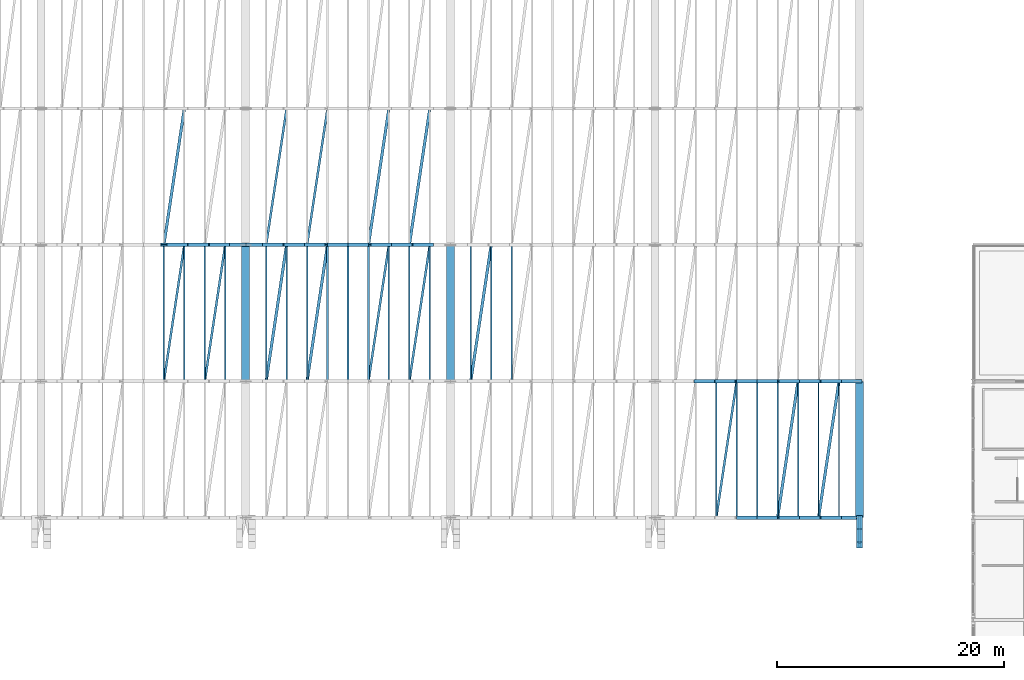
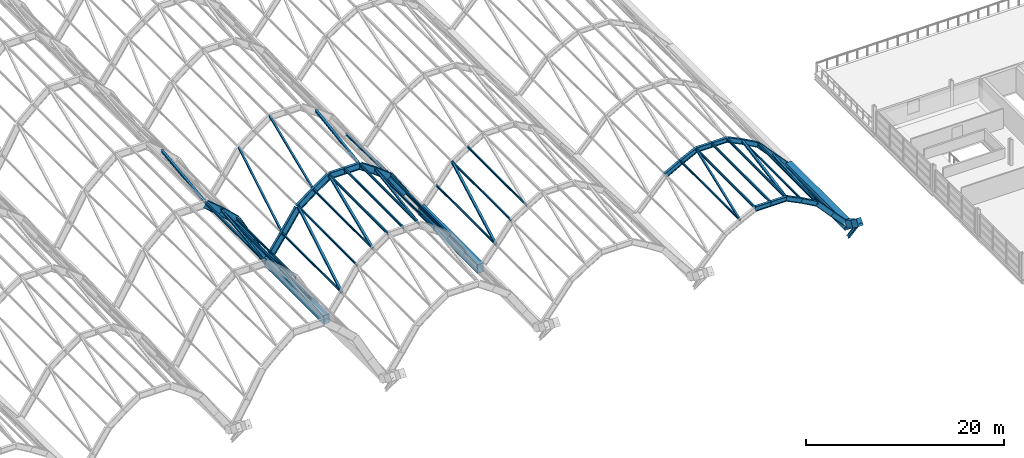
# One storey, part 14 of 86: 39 members, 32 beams.
"""IFC4 building model written with IfcOpenShell, lengths in metres."""

import ifcopenshell
import ifcopenshell.guid

model = None  # the IFC model being written
_history = None  # IfcOwnerHistory: only IFC2X3 demands one
_inside = {}  # id of a spatial element -> (the spatial element, [elements in it])
_under = {}  # id of a project, library or spatial element -> (it, [spatial elements below it])
_declared = {}  # id of a project -> (the project, [libraries it declares])
_typed = {}  # id of a type object -> (the type object, [elements of that type])
_made_of = {}  # id of a material, layer set ... -> (it, [elements and type objects made of it])


def new_model(schema):
    """Start an empty IFC model of exactly this schema.

    Asked for "IFC4X3", IfcOpenShell would pick the latest addendum, in which some entities
    have other attributes; the version numbers below select the first issue.
    IFC2X3 requires an IfcOwnerHistory on every rooted entity: one is made here for all.
    """
    global model, _history
    if schema == "IFC4X3":
        model = ifcopenshell.file(schema_version=(4, 3, 0, 0))
    else:
        model = ifcopenshell.file(schema=schema)
    _inside.clear()
    _under.clear()
    _declared.clear()
    _typed.clear()
    _made_of.clear()
    _history = None
    if model.schema == "IFC2X3":
        org = make("IfcOrganization", Name="unknown")
        user = make(
            "IfcPersonAndOrganization",
            ThePerson=make("IfcPerson", FamilyName="unknown"),
            TheOrganization=org,
        )
        app = make(
            "IfcApplication",
            ApplicationDeveloper=org,
            Version="unknown",
            ApplicationFullName="unknown",
            ApplicationIdentifier="unknown",
        )
        _history = make(
            "IfcOwnerHistory",
            OwningUser=user,
            OwningApplication=app,
            ChangeAction="ADDED",
            CreationDate=0,
        )
    return model


def make(cls, **values):
    """One entity of the class cls with the attributes given. An attribute that is None is left unset."""
    return model.create_entity(
        cls, **{name: value for name, value in values.items() if value is not None}
    )


def rooted(cls, **values):
    """An entity with a GlobalId (a new one), such as an element, a storey or a relation."""
    return make(cls, GlobalId=ifcopenshell.guid.new(), OwnerHistory=_history, **values)


def si_unit(unit_type, name, prefix=None):
    """IfcSIUnit, for example si_unit("LENGTHUNIT", "METRE", prefix="MILLI")."""
    return make("IfcSIUnit", UnitType=unit_type, Prefix=prefix, Name=name)


def assignment(units):
    """IfcUnitAssignment: the units of a project."""
    return None if units is None else make("IfcUnitAssignment", Units=units)


def point(xyz):
    """IfcCartesianPoint."""
    return None if xyz is None else make("IfcCartesianPoint", Coordinates=xyz)


def direction(xyz):
    """IfcDirection."""
    return None if xyz is None else make("IfcDirection", DirectionRatios=xyz)


def frame(location, z_axis=None, x_axis=None):
    """IfcAxis2Placement3D, a coordinate frame: its origin and axes. An axis left out is left unset."""
    return make(
        "IfcAxis2Placement3D",
        Location=point(location),
        Axis=direction(z_axis),
        RefDirection=direction(x_axis),
    )


def frame_2d(location, x_axis=None):
    """IfcAxis2Placement2D, a coordinate frame in the plane: its origin and x axis."""
    return make(
        "IfcAxis2Placement2D", Location=point(location), RefDirection=direction(x_axis)
    )


def origin():
    """The frame at (0, 0, 0) with its axes left unset."""
    return frame((0.0, 0.0, 0.0))


def origin_2d():
    """The frame at (0, 0) in the plane with its x axis left unset."""
    return frame_2d((0.0, 0.0))


def place(relative_to, where):
    """IfcLocalPlacement: puts the frame where relative to a parent placement (None: the world)."""
    return make(
        "IfcLocalPlacement", PlacementRelTo=relative_to, RelativePlacement=where
    )


def context(
    kind, dimensions, precision=None, world=None, true_north=None, identifier=None
):
    """IfcGeometricRepresentationContext, for example the 3D "Model" context."""
    return make(
        "IfcGeometricRepresentationContext",
        ContextIdentifier=identifier,
        ContextType=kind,
        CoordinateSpaceDimension=dimensions,
        Precision=precision,
        WorldCoordinateSystem=world,
        TrueNorth=true_north,
    )


def subcontext(parent, identifier, kind, view, scale=None):
    """IfcGeometricRepresentationSubContext, for example "Body" below "Model"."""
    return make(
        "IfcGeometricRepresentationSubContext",
        ContextIdentifier=identifier,
        ContextType=kind,
        ParentContext=parent,
        TargetScale=scale,
        TargetView=view,
    )


def project(units=None, contexts=None):
    """IfcProject with its units and contexts."""
    return rooted(
        "IfcProject",
        Name="project",
        RepresentationContexts=contexts,
        UnitsInContext=assignment(units),
    )


def spatial(cls, under=None, at=None, **own):
    """A site, building, storey or space (cls), placed at a placement, below another one or the project."""
    s = rooted(cls, ObjectPlacement=at, **own)
    if under is not None:
        _under.setdefault(under.id(), (under, []))[1].append(s)
    return s


def profile(cls, at=None, kind="AREA", **sizes):
    """A parametric profile (cls). Its sizes go by their IFC names, for example OverallWidth=200.0."""
    return make(cls, ProfileType=kind, Position=at, **sizes)


def rectangle(**sizes):
    """IfcRectangleProfileDef."""
    return profile("IfcRectangleProfileDef", **sizes)


def i_section(**sizes):
    """IfcIShapeProfileDef."""
    return profile("IfcIShapeProfileDef", **sizes)


def extrude(swept, where, along, depth):
    """IfcExtrudedAreaSolid: the profile swept, set in the frame where, extruded along a direction by depth."""
    return make(
        "IfcExtrudedAreaSolid",
        SweptArea=swept,
        Position=where,
        ExtrudedDirection=direction(along),
        Depth=depth,
    )


def shape(context_of_items, identifier, shape_type, items):
    """IfcShapeRepresentation: the items that make up one representation, for example the "Body"."""
    return make(
        "IfcShapeRepresentation",
        ContextOfItems=context_of_items,
        RepresentationIdentifier=identifier,
        RepresentationType=shape_type,
        Items=items,
    )


def material(Name=None, Category=None):
    """IfcMaterial."""
    return make("IfcMaterial", Name=Name, Category=Category)


def material_profile(
    of_material, cross_section, Name=None, Category=None, Priority=None
):
    """IfcMaterialProfile: a cross section and its material."""
    return make(
        "IfcMaterialProfile",
        Name=Name,
        Material=of_material,
        Profile=cross_section,
        Priority=Priority,
        Category=Category,
    )


def profile_set(profiles, Name=None, composite=None):
    """IfcMaterialProfileSet."""
    return make(
        "IfcMaterialProfileSet",
        Name=Name,
        MaterialProfiles=profiles,
        CompositeProfile=composite,
    )


def made_of(thing, what):
    """Note that an element or type object is made of a material, layer set ...; save() writes the relation."""
    if what is not None:
        _made_of.setdefault(what.id(), (what, []))[1].append(thing)
    return thing


def type_object(cls, material=None, **own):
    """A type object (cls), such as IfcWallType, which elements share."""
    return made_of(rooted(cls, **own), material)


def element(
    cls,
    number,
    at=None,
    inside=None,
    cuts=None,
    type_object=None,
    material=None,
    context=None,
    identifier="Body",
    shape_type=None,
    held_by="IfcProductDefinitionShape",
    body=None,
    shapes=None,
    **own,
):
    """One element of the class cls, such as IfcWall. Its Tag is "e" and its number.

    at: its placement. inside: the storey or other place that contains it. cuts: it is an
    opening in that element (IfcRelVoidsElement). A single representation is given by context,
    identifier, shape_type and body (its items); several are given by shapes. held_by: the class
    of the entity that holds the representations. save() writes the other relations.
    """
    e = rooted(cls, Tag="e%d" % number, ObjectPlacement=at, **own)
    if body is not None:
        shapes = [shape(context, identifier, shape_type, body)]
    if shapes is not None:
        e.Representation = make(held_by, Representations=shapes)
    if inside is not None:
        _inside.setdefault(inside.id(), (inside, []))[1].append(e)
    if cuts is not None:
        rooted(
            "IfcRelVoidsElement", RelatingBuildingElement=cuts, RelatedOpeningElement=e
        )
    if type_object is not None:
        _typed.setdefault(type_object.id(), (type_object, []))[1].append(e)
    return made_of(e, material)


def aggregate(whole, parts):
    """IfcRelAggregates: a whole, such as a stair, and the parts it consists of."""
    return rooted("IfcRelAggregates", RelatingObject=whole, RelatedObjects=parts)


def save(model, path):
    """Write the relations noted so far, then the file.

    IfcRelAggregates (storeys below a building ...), IfcRelContainedInSpatialStructure (elements
    in a storey), IfcRelDefinesByType, IfcRelAssociatesMaterial and IfcRelDeclares: one each for
    every whole, place, type object, material and project.
    """
    for whole, parts in _under.values():
        aggregate(whole, parts)
    for where, things in _inside.values():
        rooted(
            "IfcRelContainedInSpatialStructure",
            RelatedElements=things,
            RelatingStructure=where,
        )
    for kind, things in _typed.values():
        rooted("IfcRelDefinesByType", RelatedObjects=things, RelatingType=kind)
    for what, things in _made_of.values():
        rooted("IfcRelAssociatesMaterial", RelatedObjects=things, RelatingMaterial=what)
    for by, libraries in _declared.values():
        rooted("IfcRelDeclares", RelatingContext=by, RelatedDefinitions=libraries)
    model.write(path)


model = new_model("IFC4")

# Units and contexts
model_context = context("Model", 3, precision=1e-05, world=origin(), true_north=direction((0.0, 1.0)))
body_context = subcontext(model_context, "Body", "Model", "MODEL_VIEW")
ifc_project = project(units=[si_unit("LENGTHUNIT", "METRE"), si_unit("AREAUNIT", "SQUARE_METRE"), si_unit("VOLUMEUNIT", "CUBIC_METRE"), si_unit("PLANEANGLEUNIT", "RADIAN"), si_unit("MASSUNIT", "GRAM", prefix="KILO")], contexts=[model_context])

# Site, building, storey
site_placement = place(None, origin())
site = spatial("IfcSite", under=ifc_project, at=site_placement, CompositionType="ELEMENT")
building_placement = place(site_placement, origin())
building = spatial("IfcBuilding", under=site, at=building_placement, Name="Chuanluo Vaults Station", CompositionType="ELEMENT")
storey_placement = place(building_placement, frame((0.0, 0.0, 14.39990234375)))
storey = spatial("IfcBuildingStorey", under=building, at=storey_placement, Name="L03", CompositionType="ELEMENT", Elevation=14.39990234375)

# Beams
ifc_material_1 = material(Name="Concrete C50", Category="concrete")
ifc_material_profile_1 = material_profile(ifc_material_1, rectangle(XDim=0.550048828125, YDim=0.85009765625, at=origin_2d()))
ifc_profile_set_1 = profile_set([ifc_material_profile_1], Name="Concrete C50")
beam_type_1 = type_object("IfcBeamType", Name="BM-CUSP-RC2", PredefinedType="USERDEFINED", material=ifc_profile_set_1)
beam_1_placement = place(storey_placement, frame((126.0, 18.0, -0.5498046875), z_axis=(0.0, -0.872520545396, 0.488577422588), x_axis=(1.0, 0.0, 0.0)))
element("IfcBeam", 1, at=beam_1_placement, inside=storey, type_object=beam_type_1, Name="Vault V7 upturned cusp rib S-E chord 1", ObjectType="GIRDER", PredefinedType="USERDEFINED", context=body_context, shape_type="SweptSolid", body=[
    extrude(rectangle(XDim=0.550048828125, YDim=0.85009765625, at=origin_2d()), origin(), (0.0, 0.0, 1.0), 1.4326171875),
])
beam_2_placement = place(storey_placement, frame((126.0, 16.75, 0.150146484375), z_axis=(0.0, -0.787512057463, 0.61629924497), x_axis=(1.0, 0.0, 0.0)))
element("IfcBeam", 2, at=beam_2_placement, inside=storey, type_object=beam_type_1, Name="Vault V7 upturned cusp rib S-E chord 2", ObjectType="GIRDER", PredefinedType="USERDEFINED", context=body_context, shape_type="SweptSolid", body=[
    extrude(rectangle(XDim=0.550048828125, YDim=0.85009765625, at=origin_2d()), origin(), (0.0, 0.0, 1.0), 1.460205078125),
])
ifc_material_2 = material(Name="Concrete C50", Category="concrete")
ifc_material_profile_2 = material_profile(ifc_material_2, rectangle(XDim=0.699951171875, YDim=1.10009765625, at=origin_2d()))
ifc_profile_set_2 = profile_set([ifc_material_profile_2], Name="Concrete C50")
beam_type_2 = type_object("IfcBeamType", Name="BM-VAL-RC", PredefinedType="USERDEFINED", material=ifc_profile_set_2)
for number, where, z_axis, x_axis, name in (
    (3, (72.0, 30.0, -0.7998046875), (0.0, 1.0, 0.0), (-1.0, 0.0, 0.0), "Vault springing valley beam X72-2"),
    (4, (90.0, 30.0, -0.7998046875), (0.0, 1.0, 0.0), (-1.0, 0.0, 0.0), "Vault springing valley beam X90-2"),
    (5, (126.0, 18.0, -0.7998046875), (0.0, 1.0, 0.0), (-1.0, 0.0, 0.0), "Vault springing valley beam X126-1"),
):
    element("IfcBeam", number, at=place(storey_placement, frame(where, z_axis=z_axis, x_axis=x_axis)), inside=storey, type_object=beam_type_2, Name=name, ObjectType="GIRDER", PredefinedType="USERDEFINED", context=body_context, shape_type="SweptSolid", body=[
        extrude(rectangle(XDim=0.699951171875, YDim=1.10009765625, at=origin_2d()), origin(), (0.0, 0.0, 1.0), 12.0),
    ])
ifc_material_3 = material(Name="Steel Q355C", Category="steel")
ifc_material_profile_3 = material_profile(ifc_material_3, i_section(OverallWidth=0.300048828125, OverallDepth=0.587890625, WebThickness=0.011962890625, FlangeThickness=0.02001953125, FilletRadius=0.02392578125, at=origin_2d()))
ifc_profile_set_3 = profile_set([ifc_material_profile_3], Name="Steel Q355C")
beam_type_3 = type_object("IfcBeamType", Name="BM-VLT-600", PredefinedType="USERDEFINED", material=ifc_profile_set_3)
for number, where, z_axis, x_axis, name in (
    (6, (115.199951171875, 18.0, 5.0361328125), (1.0, 0.0, 0.0), (0.0, 1.0, 0.0), "Vault V7 arch rib 1 chord 5"),
    (7, (117.0, 18.0, 5.0361328125), (1.0, 0.0, 0.0), (0.0, 1.0, 0.0), "Vault V7 arch rib 1 chord 6"),
):
    element("IfcBeam", number, at=place(storey_placement, frame(where, z_axis=z_axis, x_axis=x_axis)), inside=storey, type_object=beam_type_3, Name=name, ObjectType="GIRDER", PredefinedType="USERDEFINED", context=body_context, shape_type="SweptSolid", body=[
        extrude(i_section(OverallWidth=0.300048828125, OverallDepth=0.587890625, WebThickness=0.011962890625, FlangeThickness=0.02001953125, FilletRadius=0.02392578125, at=origin_2d()), origin(), (0.0, 0.0, 1.0), 1.800048828125),
    ])
beam_3_placement = place(storey_placement, frame((118.800048828125, 18.0, 5.0361328125), z_axis=(0.896436371213, 0.0, -0.443172463457), x_axis=(0.0, 1.0, 0.0)))
element("IfcBeam", 8, at=beam_3_placement, inside=storey, type_object=beam_type_3, Name="Vault V7 arch rib 1 chord 7", ObjectType="GIRDER", PredefinedType="USERDEFINED", context=body_context, shape_type="SweptSolid", body=[
    extrude(i_section(OverallWidth=0.300048828125, OverallDepth=0.587890625, WebThickness=0.011962890625, FlangeThickness=0.02001953125, FilletRadius=0.02392578125, at=origin_2d()), origin(), (0.0, 0.0, 1.0), 2.008056640625),
])
beam_4_placement = place(storey_placement, frame((120.60009765625, 18.0, 4.146240234375), z_axis=(0.873681685546, 0.0, -0.486498008569), x_axis=(0.0, 1.0, 0.0)))
element("IfcBeam", 9, at=beam_4_placement, inside=storey, type_object=beam_type_3, Name="Vault V7 arch rib 1 chord 8", ObjectType="GIRDER", PredefinedType="USERDEFINED", context=body_context, shape_type="SweptSolid", body=[
    extrude(i_section(OverallWidth=0.300048828125, OverallDepth=0.587890625, WebThickness=0.011962890625, FlangeThickness=0.02001953125, FilletRadius=0.02392578125, at=origin_2d()), origin(), (0.0, 0.0, 1.0), 2.06005859375),
])
beam_5_placement = place(storey_placement, frame((122.39990234375, 18.0, 3.14404296875), z_axis=(0.674369120381, 0.0, -0.738394399679), x_axis=(0.0, 1.0, 0.0)))
element("IfcBeam", 10, at=beam_5_placement, inside=storey, type_object=beam_type_3, Name="Vault V7 arch rib 1 chord 9", ObjectType="GIRDER", PredefinedType="USERDEFINED", context=body_context, shape_type="SweptSolid", body=[
    extrude(i_section(OverallWidth=0.300048828125, OverallDepth=0.587890625, WebThickness=0.011962890625, FlangeThickness=0.02001953125, FilletRadius=0.02392578125, at=origin_2d()), origin(), (0.0, 0.0, 1.0), 2.669189453125),
])
beam_6_placement = place(storey_placement, frame((124.199951171875, 18.0, 1.173095703125), z_axis=(0.684521510403, 0.0, -0.728992662374), x_axis=(0.0, 1.0, 0.0)))
element("IfcBeam", 11, at=beam_6_placement, inside=storey, type_object=beam_type_3, Name="Vault V7 arch rib 1 chord 10", ObjectType="GIRDER", PredefinedType="USERDEFINED", context=body_context, shape_type="SweptSolid", body=[
    extrude(i_section(OverallWidth=0.300048828125, OverallDepth=0.587890625, WebThickness=0.011962890625, FlangeThickness=0.02001953125, FilletRadius=0.02392578125, at=origin_2d()), origin(), (0.0, 0.0, 1.0), 2.629638671875),
])
beam_7_placement = place(storey_placement, frame((111.60009765625, 30.0, 3.14404296875), z_axis=(0.873681685546, 0.0, 0.486498008569), x_axis=(0.0, 1.0, 0.0)))
element("IfcBeam", 12, at=beam_7_placement, inside=storey, type_object=beam_type_3, Name="Vault V7 arch rib 2 chord 3", ObjectType="GIRDER", PredefinedType="USERDEFINED", context=body_context, shape_type="SweptSolid", body=[
    extrude(i_section(OverallWidth=0.300048828125, OverallDepth=0.587890625, WebThickness=0.011962890625, FlangeThickness=0.02001953125, FilletRadius=0.02392578125, at=origin_2d()), origin(), (0.0, 0.0, 1.0), 2.06005859375),
])
beam_8_placement = place(storey_placement, frame((113.39990234375, 30.0, 4.146240234375), z_axis=(0.896436371213, 0.0, 0.443172463457), x_axis=(0.0, 1.0, 0.0)))
element("IfcBeam", 13, at=beam_8_placement, inside=storey, type_object=beam_type_3, Name="Vault V7 arch rib 2 chord 4", ObjectType="GIRDER", PredefinedType="USERDEFINED", context=body_context, shape_type="SweptSolid", body=[
    extrude(i_section(OverallWidth=0.300048828125, OverallDepth=0.587890625, WebThickness=0.011962890625, FlangeThickness=0.02001953125, FilletRadius=0.02392578125, at=origin_2d()), origin(), (0.0, 0.0, 1.0), 2.008056640625),
])
for number, where, z_axis, x_axis, name in (
    (14, (115.199951171875, 30.0, 5.0361328125), (1.0, 0.0, 0.0), (0.0, 1.0, 0.0), "Vault V7 arch rib 2 chord 5"),
    (15, (117.0, 30.0, 5.0361328125), (1.0, 0.0, 0.0), (0.0, 1.0, 0.0), "Vault V7 arch rib 2 chord 6"),
):
    element("IfcBeam", number, at=place(storey_placement, frame(where, z_axis=z_axis, x_axis=x_axis)), inside=storey, type_object=beam_type_3, Name=name, ObjectType="GIRDER", PredefinedType="USERDEFINED", context=body_context, shape_type="SweptSolid", body=[
        extrude(i_section(OverallWidth=0.300048828125, OverallDepth=0.587890625, WebThickness=0.011962890625, FlangeThickness=0.02001953125, FilletRadius=0.02392578125, at=origin_2d()), origin(), (0.0, 0.0, 1.0), 1.800048828125),
    ])
beam_9_placement = place(storey_placement, frame((118.800048828125, 30.0, 5.0361328125), z_axis=(0.896436371213, 0.0, -0.443172463457), x_axis=(0.0, 1.0, 0.0)))
element("IfcBeam", 16, at=beam_9_placement, inside=storey, type_object=beam_type_3, Name="Vault V7 arch rib 2 chord 7", ObjectType="GIRDER", PredefinedType="USERDEFINED", context=body_context, shape_type="SweptSolid", body=[
    extrude(i_section(OverallWidth=0.300048828125, OverallDepth=0.587890625, WebThickness=0.011962890625, FlangeThickness=0.02001953125, FilletRadius=0.02392578125, at=origin_2d()), origin(), (0.0, 0.0, 1.0), 2.008056640625),
])
beam_10_placement = place(storey_placement, frame((120.60009765625, 30.0, 4.146240234375), z_axis=(0.873681685546, 0.0, -0.486498008569), x_axis=(0.0, 1.0, 0.0)))
element("IfcBeam", 17, at=beam_10_placement, inside=storey, type_object=beam_type_3, Name="Vault V7 arch rib 2 chord 8", ObjectType="GIRDER", PredefinedType="USERDEFINED", context=body_context, shape_type="SweptSolid", body=[
    extrude(i_section(OverallWidth=0.300048828125, OverallDepth=0.587890625, WebThickness=0.011962890625, FlangeThickness=0.02001953125, FilletRadius=0.02392578125, at=origin_2d()), origin(), (0.0, 0.0, 1.0), 2.06005859375),
])
beam_11_placement = place(storey_placement, frame((122.39990234375, 30.0, 3.14404296875), z_axis=(0.674369120381, 0.0, -0.738394399679), x_axis=(0.0, 1.0, 0.0)))
element("IfcBeam", 18, at=beam_11_placement, inside=storey, type_object=beam_type_3, Name="Vault V7 arch rib 2 chord 9", ObjectType="GIRDER", PredefinedType="USERDEFINED", context=body_context, shape_type="SweptSolid", body=[
    extrude(i_section(OverallWidth=0.300048828125, OverallDepth=0.587890625, WebThickness=0.011962890625, FlangeThickness=0.02001953125, FilletRadius=0.02392578125, at=origin_2d()), origin(), (0.0, 0.0, 1.0), 2.669189453125),
])
beam_12_placement = place(storey_placement, frame((124.199951171875, 30.0, 1.173095703125), z_axis=(0.684521510403, 0.0, -0.728992662374), x_axis=(0.0, 1.0, 0.0)))
element("IfcBeam", 19, at=beam_12_placement, inside=storey, type_object=beam_type_3, Name="Vault V7 arch rib 2 chord 10", ObjectType="GIRDER", PredefinedType="USERDEFINED", context=body_context, shape_type="SweptSolid", body=[
    extrude(i_section(OverallWidth=0.300048828125, OverallDepth=0.587890625, WebThickness=0.011962890625, FlangeThickness=0.02001953125, FilletRadius=0.02392578125, at=origin_2d()), origin(), (0.0, 0.0, 1.0), 2.629638671875),
])
ifc_material_4 = material(Name="Steel Q355C", Category="steel")
ifc_material_profile_4 = material_profile(ifc_material_4, i_section(OverallWidth=0.300048828125, OverallDepth=0.800048828125, WebThickness=0.013916015625, FlangeThickness=0.02587890625, FilletRadius=0.02392578125, at=origin_2d()))
ifc_profile_set_4 = profile_set([ifc_material_profile_4], Name="Steel Q355C")
beam_type_4 = type_object("IfcBeamType", Name="BM-VLT-800", PredefinedType="USERDEFINED", material=ifc_profile_set_4)
beam_13_placement = place(storey_placement, frame((72.0, 42.0, -0.849853515625), z_axis=(0.568880934439, 0.0, 0.822419894234), x_axis=(0.0, 1.0, 0.0)))
element("IfcBeam", 20, at=beam_13_placement, inside=storey, type_object=beam_type_4, Name="Vault V5 arch rib 3 chord 1", ObjectType="GIRDER", PredefinedType="USERDEFINED", context=body_context, shape_type="SweptSolid", body=[
    extrude(i_section(OverallWidth=0.300048828125, OverallDepth=0.800048828125, WebThickness=0.013916015625, FlangeThickness=0.02587890625, FilletRadius=0.02392578125, at=origin_2d()), origin(), (0.0, 0.0, 1.0), 3.164306640625),
])
beam_14_placement = place(storey_placement, frame((73.800048828125, 42.0, 1.75244140625), z_axis=(0.550471867992, 0.0, 0.834853713263), x_axis=(0.0, 1.0, 0.0)))
element("IfcBeam", 21, at=beam_14_placement, inside=storey, type_object=beam_type_4, Name="Vault V5 arch rib 3 chord 2", ObjectType="GIRDER", PredefinedType="USERDEFINED", context=body_context, shape_type="SweptSolid", body=[
    extrude(i_section(OverallWidth=0.300048828125, OverallDepth=0.800048828125, WebThickness=0.013916015625, FlangeThickness=0.02587890625, FilletRadius=0.02392578125, at=origin_2d()), origin(), (0.0, 0.0, 1.0), 3.27001953125),
])
beam_15_placement = place(storey_placement, frame((75.60009765625, 42.0, 4.482421875), z_axis=(0.790274889356, 0.0, 0.612752477965), x_axis=(0.0, 1.0, 0.0)))
element("IfcBeam", 22, at=beam_15_placement, inside=storey, type_object=beam_type_4, Name="Vault V5 arch rib 3 chord 3", ObjectType="GIRDER", PredefinedType="USERDEFINED", context=body_context, shape_type="SweptSolid", body=[
    extrude(i_section(OverallWidth=0.300048828125, OverallDepth=0.800048828125, WebThickness=0.013916015625, FlangeThickness=0.02587890625, FilletRadius=0.02392578125, at=origin_2d()), origin(), (0.0, 0.0, 1.0), 2.27734375),
])
beam_16_placement = place(storey_placement, frame((77.39990234375, 42.0, 5.8779296875), z_axis=(0.820907471123, 0.0, 0.571061226012), x_axis=(0.0, 1.0, 0.0)))
element("IfcBeam", 23, at=beam_16_placement, inside=storey, type_object=beam_type_4, Name="Vault V5 arch rib 3 chord 4", ObjectType="GIRDER", PredefinedType="USERDEFINED", context=body_context, shape_type="SweptSolid", body=[
    extrude(i_section(OverallWidth=0.300048828125, OverallDepth=0.800048828125, WebThickness=0.013916015625, FlangeThickness=0.02587890625, FilletRadius=0.02392578125, at=origin_2d()), origin(), (0.0, 0.0, 1.0), 2.19287109375),
])
for number, where, z_axis, x_axis, name in (
    (24, (79.199951171875, 42.0, 7.130126953125), (1.0, 0.0, 0.0), (0.0, 1.0, 0.0), "Vault V5 arch rib 3 chord 5"),
    (25, (81.0, 42.0, 7.130126953125), (1.0, 0.0, 0.0), (0.0, 1.0, 0.0), "Vault V5 arch rib 3 chord 6"),
):
    element("IfcBeam", number, at=place(storey_placement, frame(where, z_axis=z_axis, x_axis=x_axis)), inside=storey, type_object=beam_type_4, Name=name, ObjectType="GIRDER", PredefinedType="USERDEFINED", context=body_context, shape_type="SweptSolid", body=[
        extrude(i_section(OverallWidth=0.300048828125, OverallDepth=0.800048828125, WebThickness=0.013916015625, FlangeThickness=0.02587890625, FilletRadius=0.02392578125, at=origin_2d()), origin(), (0.0, 0.0, 1.0), 1.800048828125),
    ])
beam_17_placement = place(storey_placement, frame((82.800048828125, 42.0, 7.130126953125), z_axis=(0.820907471123, 0.0, -0.571061226012), x_axis=(0.0, 1.0, 0.0)))
element("IfcBeam", 26, at=beam_17_placement, inside=storey, type_object=beam_type_4, Name="Vault V5 arch rib 3 chord 7", ObjectType="GIRDER", PredefinedType="USERDEFINED", context=body_context, shape_type="SweptSolid", body=[
    extrude(i_section(OverallWidth=0.300048828125, OverallDepth=0.800048828125, WebThickness=0.013916015625, FlangeThickness=0.02587890625, FilletRadius=0.02392578125, at=origin_2d()), origin(), (0.0, 0.0, 1.0), 2.19287109375),
])
beam_18_placement = place(storey_placement, frame((84.60009765625, 42.0, 5.8779296875), z_axis=(0.790274889356, 0.0, -0.612752477965), x_axis=(0.0, 1.0, 0.0)))
element("IfcBeam", 27, at=beam_18_placement, inside=storey, type_object=beam_type_4, Name="Vault V5 arch rib 3 chord 8", ObjectType="GIRDER", PredefinedType="USERDEFINED", context=body_context, shape_type="SweptSolid", body=[
    extrude(i_section(OverallWidth=0.300048828125, OverallDepth=0.800048828125, WebThickness=0.013916015625, FlangeThickness=0.02587890625, FilletRadius=0.02392578125, at=origin_2d()), origin(), (0.0, 0.0, 1.0), 2.27734375),
])
beam_19_placement = place(storey_placement, frame((86.39990234375, 42.0, 4.482421875), z_axis=(0.550471867992, 0.0, -0.834853713263), x_axis=(0.0, 1.0, 0.0)))
element("IfcBeam", 28, at=beam_19_placement, inside=storey, type_object=beam_type_4, Name="Vault V5 arch rib 3 chord 9", ObjectType="GIRDER", PredefinedType="USERDEFINED", context=body_context, shape_type="SweptSolid", body=[
    extrude(i_section(OverallWidth=0.300048828125, OverallDepth=0.800048828125, WebThickness=0.013916015625, FlangeThickness=0.02587890625, FilletRadius=0.02392578125, at=origin_2d()), origin(), (0.0, 0.0, 1.0), 3.27001953125),
])
ifc_material_5 = material(Name="Steel Q355C", Category="steel")
ifc_material_profile_5 = material_profile(ifc_material_5, i_section(OverallWidth=0.300048828125, OverallDepth=0.89990234375, WebThickness=0.01611328125, FlangeThickness=0.028076171875, FilletRadius=0.02392578125, at=origin_2d()))
ifc_profile_set_5 = profile_set([ifc_material_profile_5], Name="Steel Q355C")
beam_type_5 = type_object("IfcBeamType", Name="BM-VLT-900", PredefinedType="USERDEFINED", material=ifc_profile_set_5)
beam_20_placement = place(storey_placement, frame((64.800048828125, 42.0, 8.68017578125), z_axis=(0.76434097912, 0.0, -0.644812273176), x_axis=(0.0, 1.0, 0.0)))
element("IfcBeam", 29, at=beam_20_placement, inside=storey, type_object=beam_type_5, Name="Vault V4 arch rib 3 chord 7", ObjectType="GIRDER", PredefinedType="USERDEFINED", context=body_context, shape_type="SweptSolid", body=[
    extrude(i_section(OverallWidth=0.300048828125, OverallDepth=0.89990234375, WebThickness=0.01611328125, FlangeThickness=0.028076171875, FilletRadius=0.02392578125, at=origin_2d()), origin(), (0.0, 0.0, 1.0), 2.35498046875),
])
beam_21_placement = place(storey_placement, frame((66.60009765625, 42.0, 7.16162109375), z_axis=(0.730389392317, 0.0, -0.683030991676), x_axis=(0.0, 1.0, 0.0)))
element("IfcBeam", 30, at=beam_21_placement, inside=storey, type_object=beam_type_5, Name="Vault V4 arch rib 3 chord 8", ObjectType="GIRDER", PredefinedType="USERDEFINED", context=body_context, shape_type="SweptSolid", body=[
    extrude(i_section(OverallWidth=0.300048828125, OverallDepth=0.89990234375, WebThickness=0.01611328125, FlangeThickness=0.028076171875, FilletRadius=0.02392578125, at=origin_2d()), origin(), (0.0, 0.0, 1.0), 2.464111328125),
])
beam_22_placement = place(storey_placement, frame((68.39990234375, 42.0, 5.478515625), z_axis=(0.480856872349, 0.0, -0.876799103738), x_axis=(0.0, 1.0, 0.0)))
element("IfcBeam", 31, at=beam_22_placement, inside=storey, type_object=beam_type_5, Name="Vault V4 arch rib 3 chord 9", ObjectType="GIRDER", PredefinedType="USERDEFINED", context=body_context, shape_type="SweptSolid", body=[
    extrude(i_section(OverallWidth=0.300048828125, OverallDepth=0.89990234375, WebThickness=0.01611328125, FlangeThickness=0.028076171875, FilletRadius=0.02392578125, at=origin_2d()), origin(), (0.0, 0.0, 1.0), 3.743408203125),
])
beam_23_placement = place(storey_placement, frame((70.199951171875, 42.0, 2.1962890625), z_axis=(0.502607424266, 0.0, -0.864514763941), x_axis=(0.0, 1.0, 0.0)))
element("IfcBeam", 32, at=beam_23_placement, inside=storey, type_object=beam_type_5, Name="Vault V4 arch rib 3 chord 10", ObjectType="GIRDER", PredefinedType="USERDEFINED", context=body_context, shape_type="SweptSolid", body=[
    extrude(i_section(OverallWidth=0.300048828125, OverallDepth=0.89990234375, WebThickness=0.01611328125, FlangeThickness=0.028076171875, FilletRadius=0.02392578125, at=origin_2d()), origin(), (0.0, 0.0, 1.0), 3.58154296875),
])

# Members
ifc_material_6 = material(Name="Steel Q355C", Category="steel")
ifc_material_profile_6 = material_profile(ifc_material_6, i_section(OverallWidth=0.25, OverallDepth=0.340087890625, WebThickness=0.009033203125, FlangeThickness=0.013916015625, FilletRadius=0.01611328125, at=origin_2d()))
ifc_profile_set_6 = profile_set([ifc_material_profile_6], Name="Steel Q355C")
member_type_1 = type_object("IfcMemberType", Name="MEM-CBR-340", PredefinedType="BRACE", material=ifc_profile_set_6)
member_1_placement = place(storey_placement, frame((126.0, 18.0, -2.25), z_axis=(0.0, -0.588150351935, 0.808751608047), x_axis=(1.0, 0.0, 0.0)))
element("IfcMember", 33, at=member_1_placement, inside=storey, type_object=member_type_1, Name="Upturned eave cusp raking prop S-X126", PredefinedType="BRACE", context=body_context, shape_type="SweptSolid", body=[
    extrude(i_section(OverallWidth=0.25, OverallDepth=0.340087890625, WebThickness=0.009033203125, FlangeThickness=0.013916015625, FilletRadius=0.01611328125, at=origin_2d()), origin(), (0.0, 0.0, 1.0), 4.080322265625),
])
ifc_material_7 = material(Name="Steel Q355C", Category="steel")
ifc_material_profile_7 = material_profile(ifc_material_7, i_section(OverallWidth=0.125, OverallDepth=0.25, WebThickness=0.006103515625, FlangeThickness=0.009033203125, FilletRadius=0.011962890625, at=origin_2d()))
ifc_profile_set_7 = profile_set([ifc_material_profile_7], Name="Steel Q355C")
member_type_2 = type_object("IfcMemberType", Name="MEM-PUR-250", PredefinedType="PURLIN", material=ifc_profile_set_7)
for number, where, z_axis, x_axis, name in (
    (34, (66.60009765625, 30.0, 7.38720703125), (0.0, 1.0, 0.0), (-1.0, 0.0, 0.0), "Vault V4 purlin 2.7"),
    (35, (68.39990234375, 30.0, 5.642578125), (0.0, 1.0, 0.0), (-1.0, 0.0, 0.0), "Vault V4 purlin 2.8"),
    (36, (70.199951171875, 30.0, 2.3427734375), (0.0, 1.0, 0.0), (-1.0, 0.0, 0.0), "Vault V4 purlin 2.9"),
    (37, (73.800048828125, 30.0, 1.86962890625), (0.0, 1.0, 0.0), (-1.0, 0.0, 0.0), "Vault V5 purlin 2.1"),
    (38, (75.60009765625, 30.0, 4.619384765625), (0.0, 1.0, 0.0), (-1.0, 0.0, 0.0), "Vault V5 purlin 2.2"),
    (39, (77.39990234375, 30.0, 6.062744140625), (0.0, 1.0, 0.0), (-1.0, 0.0, 0.0), "Vault V5 purlin 2.3"),
    (40, (84.60009765625, 30.0, 6.062744140625), (0.0, 1.0, 0.0), (-1.0, 0.0, 0.0), "Vault V5 purlin 2.7"),
    (41, (86.39990234375, 30.0, 4.619384765625), (0.0, 1.0, 0.0), (-1.0, 0.0, 0.0), "Vault V5 purlin 2.8"),
    (42, (88.199951171875, 30.0, 1.86962890625), (0.0, 1.0, 0.0), (-1.0, 0.0, 0.0), "Vault V5 purlin 2.9"),
    (43, (91.800048828125, 30.0, 1.5126953125), (0.0, 1.0, 0.0), (-1.0, 0.0, 0.0), "Vault V6 purlin 2.1"),
    (44, (93.60009765625, 30.0, 3.849853515625), (0.0, 1.0, 0.0), (-1.0, 0.0, 0.0), "Vault V6 purlin 2.2"),
    (45, (95.39990234375, 30.0, 5.068115234375), (0.0, 1.0, 0.0), (-1.0, 0.0, 0.0), "Vault V6 purlin 2.3"),
    (46, (113.39990234375, 18.0, 4.23779296875), (0.0, 1.0, 0.0), (-1.0, 0.0, 0.0), "Vault V7 purlin 1.3"),
    (47, (120.60009765625, 18.0, 4.23779296875), (0.0, 1.0, 0.0), (-1.0, 0.0, 0.0), "Vault V7 purlin 1.7"),
    (48, (122.39990234375, 18.0, 3.206787109375), (0.0, 1.0, 0.0), (-1.0, 0.0, 0.0), "Vault V7 purlin 1.8"),
    (49, (124.199951171875, 18.0, 1.213134765625), (0.0, 1.0, 0.0), (-1.0, 0.0, 0.0), "Vault V7 purlin 1.9"),
):
    element("IfcMember", number, at=place(storey_placement, frame(where, z_axis=z_axis, x_axis=x_axis)), inside=storey, type_object=member_type_2, Name=name, PredefinedType="PURLIN", context=body_context, shape_type="SweptSolid", body=[
        extrude(i_section(OverallWidth=0.125, OverallDepth=0.25, WebThickness=0.006103515625, FlangeThickness=0.009033203125, FilletRadius=0.011962890625, at=origin_2d()), origin(), (0.0, 0.0, 1.0), 12.0),
    ])
ifc_material_8 = material(Name="Steel Q355C", Category="steel")
ifc_material_profile_8 = material_profile(ifc_material_8, i_section(OverallWidth=0.14990234375, OverallDepth=0.300048828125, WebThickness=0.006591796875, FlangeThickness=0.009033203125, FilletRadius=0.012939453125, at=origin_2d()))
ifc_profile_set_8 = profile_set([ifc_material_profile_8], Name="Steel Q355C")
member_type_3 = type_object("IfcMemberType", Name="MEM-PUR-300", PredefinedType="PURLIN", material=ifc_profile_set_8)
for number, where, z_axis, x_axis, name in (
    (50, (64.800048828125, 30.0, 8.834228515625), (0.0, 1.0, 0.0), (-1.0, 0.0, 0.0), "Vault V4 purlin 2.6"),
    (51, (79.199951171875, 30.0, 7.264404296875), (0.0, 1.0, 0.0), (-1.0, 0.0, 0.0), "Vault V5 purlin 2.4"),
    (52, (81.0, 30.0, 7.3720703125), (0.0, 1.0, 0.0), (-1.0, 0.0, 0.0), "Vault V5 purlin 2.5"),
    (53, (82.800048828125, 30.0, 7.264404296875), (0.0, 1.0, 0.0), (-1.0, 0.0, 0.0), "Vault V5 purlin 2.6"),
    (54, (115.199951171875, 18.0, 5.102294921875), (0.0, 1.0, 0.0), (-1.0, 0.0, 0.0), "Vault V7 purlin 1.4"),
    (55, (117.0, 18.0, 5.172119140625), (0.0, 1.0, 0.0), (-1.0, 0.0, 0.0), "Vault V7 purlin 1.5"),
    (56, (118.800048828125, 18.0, 5.102294921875), (0.0, 1.0, 0.0), (-1.0, 0.0, 0.0), "Vault V7 purlin 1.6"),
):
    element("IfcMember", number, at=place(storey_placement, frame(where, z_axis=z_axis, x_axis=x_axis)), inside=storey, type_object=member_type_3, Name=name, PredefinedType="PURLIN", context=body_context, shape_type="SweptSolid", body=[
        extrude(i_section(OverallWidth=0.14990234375, OverallDepth=0.300048828125, WebThickness=0.006591796875, FlangeThickness=0.009033203125, FilletRadius=0.012939453125, at=origin_2d()), origin(), (0.0, 0.0, 1.0), 12.0),
    ])
ifc_material_9 = material(Name="Steel Q355C", Category="steel")
ifc_material_profile_9 = material_profile(ifc_material_9, i_section(OverallWidth=0.199951171875, OverallDepth=0.199951171875, WebThickness=0.008056640625, FlangeThickness=0.011962890625, FilletRadius=0.012939453125, at=origin_2d()))
ifc_profile_set_9 = profile_set([ifc_material_profile_9], Name="Steel Q355C")
member_type_4 = type_object("IfcMemberType", Name="MEM-VBR-200", PredefinedType="BRACE", material=ifc_profile_set_9)
member_2_placement = place(storey_placement, frame((64.800048828125, 30.0, 8.834228515625), z_axis=(0.147300719642, 0.981978159751, -0.118411957862), x_axis=(-0.988935762544, 0.148344388372, 0.0)))
element("IfcMember", 57, at=member_2_placement, inside=storey, type_object=member_type_4, Name="Vault V4 space-frame diagonal 2.6", PredefinedType="BRACE", context=body_context, shape_type="SweptSolid", body=[
    extrude(i_section(OverallWidth=0.199951171875, OverallDepth=0.199951171875, WebThickness=0.008056640625, FlangeThickness=0.011962890625, FilletRadius=0.012939453125, at=origin_2d()), origin(), (0.0, 0.0, 1.0), 12.22021484375),
])
member_3_placement = place(storey_placement, frame((68.39990234375, 30.0, 5.642578125), z_axis=(0.143145822797, 0.95427959882, -0.262411357781), x_axis=(-0.988935762544, 0.148344388372, 0.0)))
element("IfcMember", 58, at=member_3_placement, inside=storey, type_object=member_type_4, Name="Vault V4 space-frame diagonal 2.8", PredefinedType="BRACE", context=body_context, shape_type="SweptSolid", body=[
    extrude(i_section(OverallWidth=0.199951171875, OverallDepth=0.199951171875, WebThickness=0.008056640625, FlangeThickness=0.011962890625, FilletRadius=0.012939453125, at=origin_2d()), origin(), (0.0, 0.0, 1.0), 12.574951171875),
])
member_4_placement = place(storey_placement, frame((82.800048828125, 30.0, 7.264404296875), z_axis=(0.147622287214, 0.984121885415, -0.098548338216), x_axis=(-0.988935762544, 0.148344388372, 0.0)))
element("IfcMember", 59, at=member_4_placement, inside=storey, type_object=member_type_4, Name="Vault V5 space-frame diagonal 2.6", PredefinedType="BRACE", context=body_context, shape_type="SweptSolid", body=[
    extrude(i_section(OverallWidth=0.199951171875, OverallDepth=0.199951171875, WebThickness=0.008056640625, FlangeThickness=0.011962890625, FilletRadius=0.012939453125, at=origin_2d()), origin(), (0.0, 0.0, 1.0), 12.193603515625),
])
for number, where, z_axis, x_axis, name in (
    (60, (86.39990234375, 30.0, 4.619384765625), (0.144676148211, 0.964481491504, -0.221007386043), (-0.988935762544, 0.148344388372, 0.0), "Vault V5 space-frame diagonal 2.8"),
    (61, (73.800048828125, 42.0, 1.86962890625), (0.144676148211, 0.964481491504, 0.221007386043), (-0.988935762544, 0.148344388372, 0.0), "Vault V5 space-frame diagonal 3.1"),
):
    element("IfcMember", number, at=place(storey_placement, frame(where, z_axis=z_axis, x_axis=x_axis)), inside=storey, type_object=member_type_4, Name=name, PredefinedType="BRACE", context=body_context, shape_type="SweptSolid", body=[
        extrude(i_section(OverallWidth=0.199951171875, OverallDepth=0.199951171875, WebThickness=0.008056640625, FlangeThickness=0.011962890625, FilletRadius=0.012939453125, at=origin_2d()), origin(), (0.0, 0.0, 1.0), 12.44189453125),
    ])
member_5_placement = place(storey_placement, frame((77.39990234375, 42.0, 6.062744140625), z_axis=(0.147622287214, 0.984121885415, 0.098548338216), x_axis=(-0.988935762544, 0.148344388372, 0.0)))
element("IfcMember", 62, at=member_5_placement, inside=storey, type_object=member_type_4, Name="Vault V5 space-frame diagonal 3.3", PredefinedType="BRACE", context=body_context, shape_type="SweptSolid", body=[
    extrude(i_section(OverallWidth=0.199951171875, OverallDepth=0.199951171875, WebThickness=0.008056640625, FlangeThickness=0.011962890625, FilletRadius=0.012939453125, at=origin_2d()), origin(), (0.0, 0.0, 1.0), 12.193603515625),
])
member_6_placement = place(storey_placement, frame((113.39990234375, 18.0, 4.23779296875), z_axis=(0.147969331357, 0.986435450271, 0.071064614449), x_axis=(-0.988935762544, 0.148344388372, 0.0)))
element("IfcMember", 63, at=member_6_placement, inside=storey, type_object=member_type_4, Name="Vault V7 space-frame diagonal 1.3", PredefinedType="BRACE", context=body_context, shape_type="SweptSolid", body=[
    extrude(i_section(OverallWidth=0.199951171875, OverallDepth=0.199951171875, WebThickness=0.008056640625, FlangeThickness=0.011962890625, FilletRadius=0.012939453125, at=origin_2d()), origin(), (0.0, 0.0, 1.0), 12.1650390625),
])
ifc_material_10 = material(Name="Steel Q355C", Category="steel")
ifc_material_profile_10 = material_profile(ifc_material_10, i_section(OverallWidth=0.25, OverallDepth=0.25, WebThickness=0.009033203125, FlangeThickness=0.013916015625, FilletRadius=0.01611328125, at=origin_2d()))
ifc_profile_set_10 = profile_set([ifc_material_profile_10], Name="Steel Q355C")
member_type_5 = type_object("IfcMemberType", Name="MEM-VBR-250", PredefinedType="BRACE", material=ifc_profile_set_10)
member_7_placement = place(storey_placement, frame((64.800048828125, 42.0, 8.834228515625), z_axis=(0.147300719642, 0.981978159751, -0.118411957862), x_axis=(-0.988935762544, 0.148344388372, 0.0)))
element("IfcMember", 64, at=member_7_placement, inside=storey, type_object=member_type_5, Name="Vault V4 space-frame diagonal 3.6", PredefinedType="BRACE", context=body_context, shape_type="SweptSolid", body=[
    extrude(i_section(OverallWidth=0.25, OverallDepth=0.25, WebThickness=0.009033203125, FlangeThickness=0.013916015625, FilletRadius=0.01611328125, at=origin_2d()), origin(), (0.0, 0.0, 1.0), 12.22021484375),
])
member_8_placement = place(storey_placement, frame((73.800048828125, 30.0, 1.86962890625), z_axis=(0.144676148211, 0.964481491504, 0.221007386043), x_axis=(-0.988935762544, 0.148344388372, 0.0)))
element("IfcMember", 65, at=member_8_placement, inside=storey, type_object=member_type_5, Name="Vault V5 space-frame diagonal 2.1", PredefinedType="BRACE", context=body_context, shape_type="SweptSolid", body=[
    extrude(i_section(OverallWidth=0.25, OverallDepth=0.25, WebThickness=0.009033203125, FlangeThickness=0.013916015625, FilletRadius=0.01611328125, at=origin_2d()), origin(), (0.0, 0.0, 1.0), 12.44189453125),
])
for number, where, z_axis, x_axis, name in (
    (66, (77.39990234375, 30.0, 6.062744140625), (0.147622287214, 0.984121885415, 0.098548338216), (-0.988935762544, 0.148344388372, 0.0), "Vault V5 space-frame diagonal 2.3"),
    (67, (82.800048828125, 42.0, 7.264404296875), (0.147622287214, 0.984121885415, -0.098548338216), (-0.988935762544, 0.148344388372, 0.0), "Vault V5 space-frame diagonal 3.6"),
):
    element("IfcMember", number, at=place(storey_placement, frame(where, z_axis=z_axis, x_axis=x_axis)), inside=storey, type_object=member_type_5, Name=name, PredefinedType="BRACE", context=body_context, shape_type="SweptSolid", body=[
        extrude(i_section(OverallWidth=0.25, OverallDepth=0.25, WebThickness=0.009033203125, FlangeThickness=0.013916015625, FilletRadius=0.01611328125, at=origin_2d()), origin(), (0.0, 0.0, 1.0), 12.193603515625),
    ])
member_9_placement = place(storey_placement, frame((86.39990234375, 42.0, 4.619384765625), z_axis=(0.144676148211, 0.964481491504, -0.221007386043), x_axis=(-0.988935762544, 0.148344388372, 0.0)))
element("IfcMember", 68, at=member_9_placement, inside=storey, type_object=member_type_5, Name="Vault V5 space-frame diagonal 3.8", PredefinedType="BRACE", context=body_context, shape_type="SweptSolid", body=[
    extrude(i_section(OverallWidth=0.25, OverallDepth=0.25, WebThickness=0.009033203125, FlangeThickness=0.013916015625, FilletRadius=0.01611328125, at=origin_2d()), origin(), (0.0, 0.0, 1.0), 12.44189453125),
])
member_10_placement = place(storey_placement, frame((91.800048828125, 30.0, 1.5126953125), z_axis=(0.145667019671, 0.971087122046, 0.189132019437), x_axis=(-0.988935762544, 0.148344388372, 0.0)))
element("IfcMember", 69, at=member_10_placement, inside=storey, type_object=member_type_5, Name="Vault V6 space-frame diagonal 2.1", PredefinedType="BRACE", context=body_context, shape_type="SweptSolid", body=[
    extrude(i_section(OverallWidth=0.25, OverallDepth=0.25, WebThickness=0.009033203125, FlangeThickness=0.013916015625, FilletRadius=0.01611328125, at=origin_2d()), origin(), (0.0, 0.0, 1.0), 12.357177734375),
])
member_11_placement = place(storey_placement, frame((118.800048828125, 18.0, 5.102294921875), z_axis=(0.147969331357, 0.986435450271, -0.071064614449), x_axis=(-0.988935762544, 0.148344388372, 0.0)))
element("IfcMember", 70, at=member_11_placement, inside=storey, type_object=member_type_5, Name="Vault V7 space-frame diagonal 1.6", PredefinedType="BRACE", context=body_context, shape_type="SweptSolid", body=[
    extrude(i_section(OverallWidth=0.25, OverallDepth=0.25, WebThickness=0.009033203125, FlangeThickness=0.013916015625, FilletRadius=0.01611328125, at=origin_2d()), origin(), (0.0, 0.0, 1.0), 12.1650390625),
])
member_12_placement = place(storey_placement, frame((122.39990234375, 18.0, 3.206787109375), z_axis=(0.146381805557, 0.975852232025, -0.162125840794), x_axis=(-0.988935762544, 0.148344388372, 0.0)))
element("IfcMember", 71, at=member_12_placement, inside=storey, type_object=member_type_5, Name="Vault V7 space-frame diagonal 1.8", PredefinedType="BRACE", context=body_context, shape_type="SweptSolid", body=[
    extrude(i_section(OverallWidth=0.25, OverallDepth=0.25, WebThickness=0.009033203125, FlangeThickness=0.013916015625, FilletRadius=0.01611328125, at=origin_2d()), origin(), (0.0, 0.0, 1.0), 12.296875),
])

save(model, "model.ifc")
